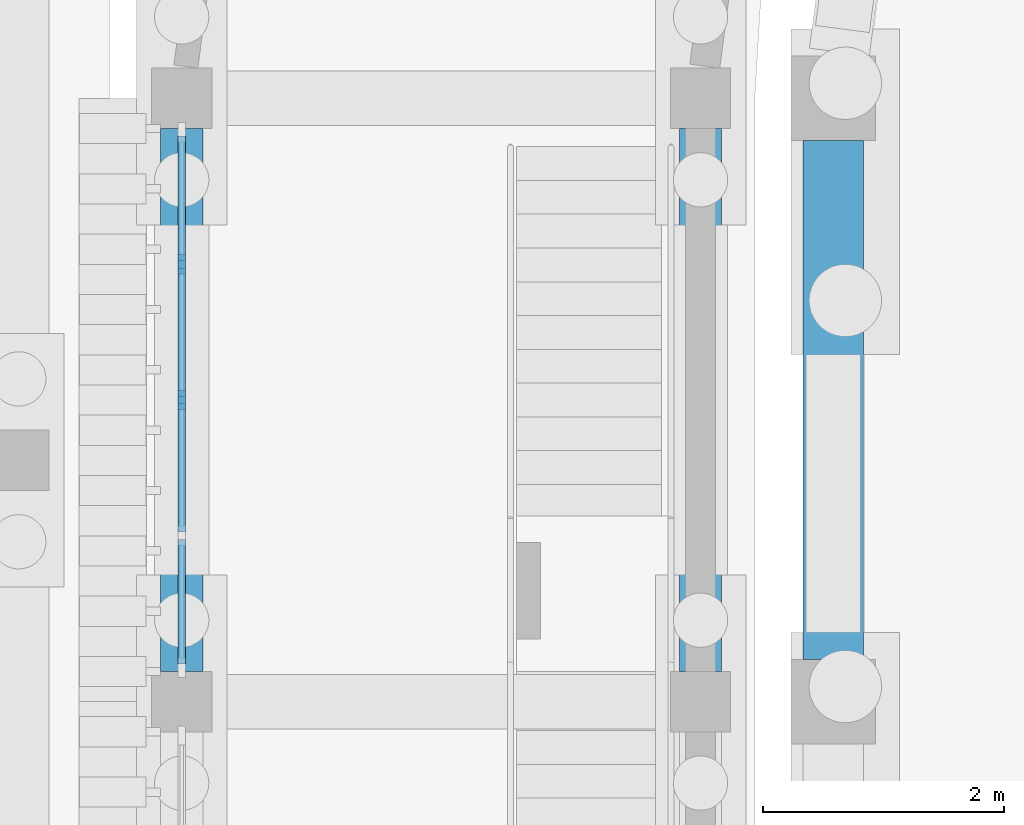
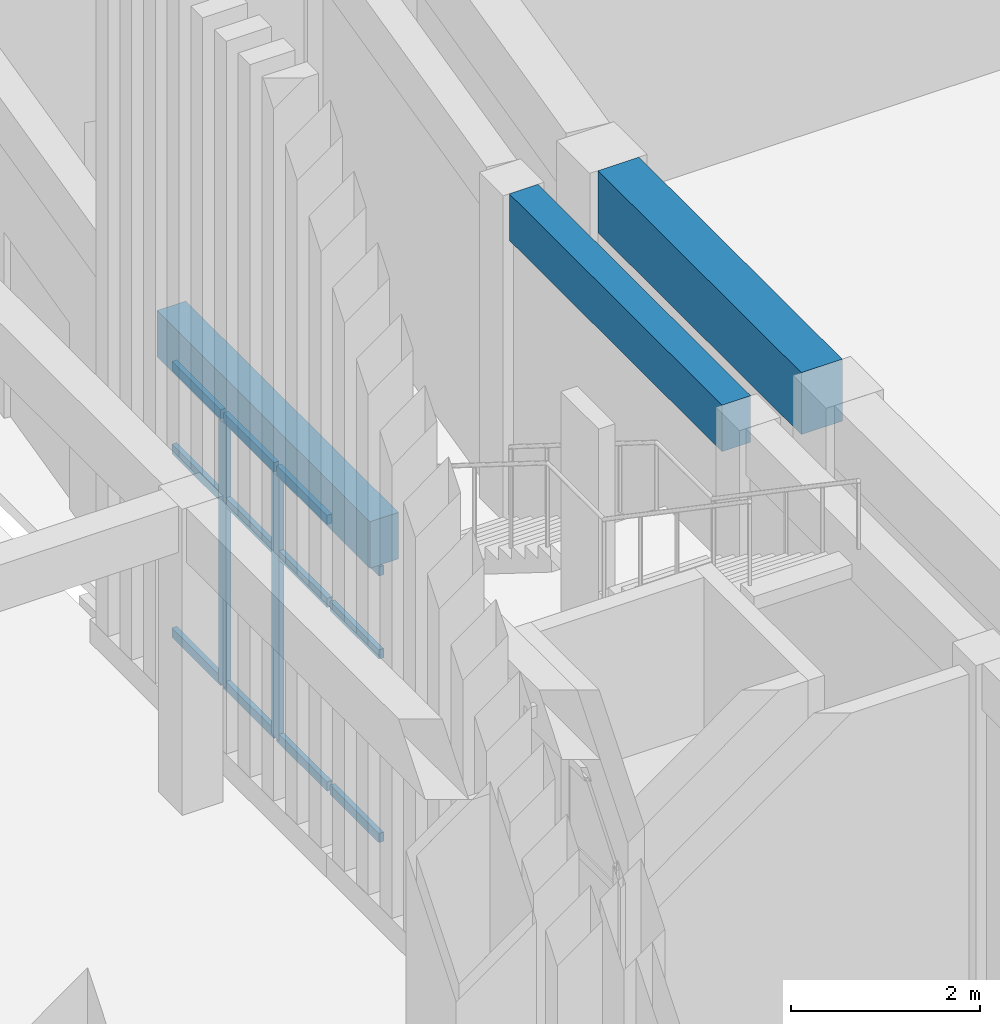
# One storey, part 20 of 112: 14 members, 3 beams, 1 element without a shape of its own.
"""IFC4 building model written with IfcOpenShell, lengths in metres."""

from ifc_helpers import new_model, si_unit, direction, frame, origin, origin_2d, place, context, subcontext, project, spatial, rectangle, extrude, material, layer, layer_set, material_profile, profile_set, type_object, element, aggregate, save


model = new_model("IFC4")

# Units and contexts
model_context = context("Model", 3, precision=1e-05, world=origin(), true_north=direction((0.0, 1.0)))
body_context = subcontext(model_context, "Body", "Model", "MODEL_VIEW")
ifc_project = project(units=[si_unit("LENGTHUNIT", "METRE"), si_unit("AREAUNIT", "SQUARE_METRE"), si_unit("VOLUMEUNIT", "CUBIC_METRE"), si_unit("PLANEANGLEUNIT", "RADIAN"), si_unit("MASSUNIT", "GRAM", prefix="KILO")], contexts=[model_context])

# Site, building, storey
site_placement = place(None, origin())
site = spatial("IfcSite", under=ifc_project, at=site_placement, CompositionType="ELEMENT")
building_placement = place(site_placement, origin())
building = spatial("IfcBuilding", under=site, at=building_placement, Name="Wasatch Bagh Community Centre", CompositionType="ELEMENT")
storey_placement = place(building_placement, origin())
storey = spatial("IfcBuildingStorey", under=building, at=storey_placement, Name="L00", CompositionType="ELEMENT", Elevation=0.0)

# Curtain wall, members
ifc_material_1 = material(Name="Aluminium curtain wall frame with low-iron insulated glass", Category="aluminium")
ifc_layer = layer(ifc_material_1, 0.14990234375)
ifc_layer_set = layer_set([ifc_layer], Name="Aluminium curtain wall frame with low-iron insulated glass")
curtain_wall_type = type_object("IfcCurtainWallType", Name="Drum curtain wall DR-CW3", PredefinedType="NOTDEFINED", material=ifc_layer_set)
curtain_wall_placement = place(storey_placement, origin())
curtain_wall = element("IfcCurtainWall", 1, at=curtain_wall_placement, inside=storey, type_object=curtain_wall_type, Name="Curtain wall DR-CW3 31", PredefinedType="NOTDEFINED")
ifc_material_2 = material(Name="Aluminium curtain wall frame", Category="aluminium")
ifc_material_profile_1 = material_profile(ifc_material_2, rectangle(XDim=0.06005859375, YDim=0.159912109375, at=origin_2d()), Name="Drum mullion DR-CW3")
ifc_profile_set_1 = profile_set([ifc_material_profile_1], Name="Aluminium curtain wall frame")
member_type_1 = type_object("IfcMemberType", Name="Drum mullion DR-CW3", PredefinedType="MULLION", material=ifc_profile_set_1)
member_1_placement = place(storey_placement, frame((11.85009765625, 63.624755859375, 0.0), z_axis=(0.0, 0.0, 1.0), x_axis=(1.0, 0.0, 0.0)))
member_1 = element("IfcMember", 2, at=member_1_placement, type_object=member_type_1, Name="DR-CW3 mullion 2", PredefinedType="MULLION", context=body_context, shape_type="SweptSolid", body=[
    extrude(rectangle(XDim=0.06005859375, YDim=0.159912109375, at=origin_2d()), origin(), (0.0, 0.0, 1.0), 3.5),
])
member_2_placement = place(storey_placement, frame((11.85009765625, 62.5, 0.0), z_axis=(0.0, 0.0, 1.0), x_axis=(1.0, 0.0, 0.0)))
member_2 = element("IfcMember", 3, at=member_2_placement, type_object=member_type_1, Name="DR-CW3 mullion 3", PredefinedType="MULLION", context=body_context, shape_type="SweptSolid", body=[
    extrude(rectangle(XDim=0.06005859375, YDim=0.159912109375, at=origin_2d()), origin(), (0.0, 0.0, 1.0), 3.5),
])

# Beams
ifc_material_3 = material(Name="Concrete C35", Category="concrete")
ifc_material_profile_2 = material_profile(ifc_material_3, rectangle(XDim=0.35009765625, YDim=0.60009765625, at=origin_2d()), Name="RC 350x600")
ifc_profile_set_2 = profile_set([ifc_material_profile_2], Name="Concrete C35")
beam_type_1 = type_object("IfcBeamType", Name="Drum ring beam RC 350x600", PredefinedType="BEAM", material=ifc_profile_set_2)
for number, where, z_axis, x_axis, name in (
    (4, (16.14990234375, 64.74951171875, 3.89990234375), (0.0, -1.0, 0.0), (1.0, 0.0, 0.0), "Ring beam 4.2 DI-W7-DI-W6"),
    (5, (11.85009765625, 64.74951171875, 3.89990234375), (0.0, -1.0, 0.0), (1.0, 0.0, 0.0), "Ring beam 4.2 DO-W7-DO-W6"),
):
    element("IfcBeam", number, at=place(storey_placement, frame(where, z_axis=z_axis, x_axis=x_axis)), inside=storey, type_object=beam_type_1, Name=name, PredefinedType="BEAM", context=body_context, shape_type="SweptSolid", body=[
        extrude(rectangle(XDim=0.35009765625, YDim=0.60009765625, at=origin_2d()), origin(), (0.0, 0.0, 1.0), 4.4990234375),
    ])

# Member
ifc_material_profile_3 = material_profile(ifc_material_2, rectangle(XDim=0.06005859375, YDim=0.1201171875, at=origin_2d()), Name="Drum transom DR-CW3")
ifc_profile_set_3 = profile_set([ifc_material_profile_3], Name="Aluminium curtain wall frame")
member_type_2 = type_object("IfcMemberType", Name="Drum transom DR-CW3", PredefinedType="USERDEFINED", material=ifc_profile_set_3)
member_3_placement = place(storey_placement, frame((11.85009765625, 64.689453125, 0.030029296875), z_axis=(0.0, -1.0, 0.0), x_axis=(1.0, 0.0, 0.0)))
member_3 = element("IfcMember", 6, at=member_3_placement, type_object=member_type_2, Name="DR-CW3 transom 1.1", ObjectType="TRANSOM", PredefinedType="USERDEFINED", context=body_context, shape_type="SweptSolid", body=[
    extrude(rectangle(XDim=0.06005859375, YDim=0.1201171875, at=origin_2d()), origin(), (0.0, 0.0, 1.0), 1.03466796875),
])

member_4_placement = place(storey_placement, frame((11.85009765625, 64.689453125, 2.39990234375), z_axis=(0.0, -1.0, 0.0), x_axis=(1.0, 0.0, 0.0)))
member_4 = element("IfcMember", 7, at=member_4_placement, type_object=member_type_2, Name="DR-CW3 transom 1.2", ObjectType="TRANSOM", PredefinedType="USERDEFINED", context=body_context, shape_type="SweptSolid", body=[
    extrude(rectangle(XDim=0.06005859375, YDim=0.1201171875, at=origin_2d()), origin(), (0.0, 0.0, 1.0), 1.03466796875),
])

member_5_placement = place(storey_placement, frame((11.85009765625, 64.689453125, 3.469970703125), z_axis=(0.0, -1.0, 0.0), x_axis=(1.0, 0.0, 0.0)))
member_5 = element("IfcMember", 8, at=member_5_placement, type_object=member_type_2, Name="DR-CW3 transom 1.3", ObjectType="TRANSOM", PredefinedType="USERDEFINED", context=body_context, shape_type="SweptSolid", body=[
    extrude(rectangle(XDim=0.06005859375, YDim=0.1201171875, at=origin_2d()), origin(), (0.0, 0.0, 1.0), 1.03466796875),
])

member_6_placement = place(storey_placement, frame((11.85009765625, 63.5947265625, 0.030029296875), z_axis=(0.0, -1.0, 0.0), x_axis=(1.0, 0.0, 0.0)))
member_6 = element("IfcMember", 9, at=member_6_placement, type_object=member_type_2, Name="DR-CW3 transom 2.1", ObjectType="TRANSOM", PredefinedType="USERDEFINED", context=body_context, shape_type="SweptSolid", body=[
    extrude(rectangle(XDim=0.06005859375, YDim=0.1201171875, at=origin_2d()), origin(), (0.0, 0.0, 1.0), 1.064697265625),
])

member_7_placement = place(storey_placement, frame((11.85009765625, 63.5947265625, 2.39990234375), z_axis=(0.0, -1.0, 0.0), x_axis=(1.0, 0.0, 0.0)))
member_7 = element("IfcMember", 10, at=member_7_placement, type_object=member_type_2, Name="DR-CW3 transom 2.2", ObjectType="TRANSOM", PredefinedType="USERDEFINED", context=body_context, shape_type="SweptSolid", body=[
    extrude(rectangle(XDim=0.06005859375, YDim=0.1201171875, at=origin_2d()), origin(), (0.0, 0.0, 1.0), 1.064697265625),
])

member_8_placement = place(storey_placement, frame((11.85009765625, 63.5947265625, 3.469970703125), z_axis=(0.0, -1.0, 0.0), x_axis=(1.0, 0.0, 0.0)))
member_8 = element("IfcMember", 11, at=member_8_placement, type_object=member_type_2, Name="DR-CW3 transom 2.3", ObjectType="TRANSOM", PredefinedType="USERDEFINED", context=body_context, shape_type="SweptSolid", body=[
    extrude(rectangle(XDim=0.06005859375, YDim=0.1201171875, at=origin_2d()), origin(), (0.0, 0.0, 1.0), 1.064697265625),
])

member_9_placement = place(storey_placement, frame((11.85009765625, 62.469970703125, 0.030029296875), z_axis=(0.0, -1.0, 0.0), x_axis=(1.0, 0.0, 0.0)))
member_9 = element("IfcMember", 12, at=member_9_placement, type_object=member_type_2, Name="DR-CW3 transom 3.1", ObjectType="TRANSOM", PredefinedType="USERDEFINED", context=body_context, shape_type="SweptSolid", body=[
    extrude(rectangle(XDim=0.06005859375, YDim=0.1201171875, at=origin_2d()), origin(), (0.0, 0.0, 1.0), 1.064697265625),
])

member_10_placement = place(storey_placement, frame((11.85009765625, 62.469970703125, 2.39990234375), z_axis=(0.0, -1.0, 0.0), x_axis=(1.0, 0.0, 0.0)))
member_10 = element("IfcMember", 13, at=member_10_placement, type_object=member_type_2, Name="DR-CW3 transom 3.2", ObjectType="TRANSOM", PredefinedType="USERDEFINED", context=body_context, shape_type="SweptSolid", body=[
    extrude(rectangle(XDim=0.06005859375, YDim=0.1201171875, at=origin_2d()), origin(), (0.0, 0.0, 1.0), 1.064697265625),
])

member_11_placement = place(storey_placement, frame((11.85009765625, 62.469970703125, 3.469970703125), z_axis=(0.0, -1.0, 0.0), x_axis=(1.0, 0.0, 0.0)))
member_11 = element("IfcMember", 14, at=member_11_placement, type_object=member_type_2, Name="DR-CW3 transom 3.3", ObjectType="TRANSOM", PredefinedType="USERDEFINED", context=body_context, shape_type="SweptSolid", body=[
    extrude(rectangle(XDim=0.06005859375, YDim=0.1201171875, at=origin_2d()), origin(), (0.0, 0.0, 1.0), 1.064697265625),
])

member_12_placement = place(storey_placement, frame((11.85009765625, 61.34521484375, 0.030029296875), z_axis=(0.0, -1.0, 0.0), x_axis=(1.0, 0.0, 0.0)))
member_12 = element("IfcMember", 15, at=member_12_placement, type_object=member_type_2, Name="DR-CW3 transom 4.1", ObjectType="TRANSOM", PredefinedType="USERDEFINED", context=body_context, shape_type="SweptSolid", body=[
    extrude(rectangle(XDim=0.06005859375, YDim=0.1201171875, at=origin_2d()), origin(), (0.0, 0.0, 1.0), 1.03466796875),
])

member_13_placement = place(storey_placement, frame((11.85009765625, 61.34521484375, 2.39990234375), z_axis=(0.0, -1.0, 0.0), x_axis=(1.0, 0.0, 0.0)))
member_13 = element("IfcMember", 16, at=member_13_placement, type_object=member_type_2, Name="DR-CW3 transom 4.2", ObjectType="TRANSOM", PredefinedType="USERDEFINED", context=body_context, shape_type="SweptSolid", body=[
    extrude(rectangle(XDim=0.06005859375, YDim=0.1201171875, at=origin_2d()), origin(), (0.0, 0.0, 1.0), 1.03466796875),
])

member_14_placement = place(storey_placement, frame((11.85009765625, 61.34521484375, 3.469970703125), z_axis=(0.0, -1.0, 0.0), x_axis=(1.0, 0.0, 0.0)))
member_14 = element("IfcMember", 17, at=member_14_placement, type_object=member_type_2, Name="DR-CW3 transom 4.3", ObjectType="TRANSOM", PredefinedType="USERDEFINED", context=body_context, shape_type="SweptSolid", body=[
    extrude(rectangle(XDim=0.06005859375, YDim=0.1201171875, at=origin_2d()), origin(), (0.0, 0.0, 1.0), 1.03466796875),
])

aggregate(curtain_wall, [member_1, member_2, member_3, member_4, member_5, member_6, member_7, member_8, member_9, member_10, member_11, member_12, member_13, member_14])

# Beam
ifc_material_profile_4 = material_profile(ifc_material_3, rectangle(XDim=0.5, YDim=0.800048828125, at=origin_2d()), Name="RC 500x800")
ifc_profile_set_4 = profile_set([ifc_material_profile_4], Name="Concrete C35")
beam_type_2 = type_object("IfcBeamType", Name="MH ring beam RC 500x800", PredefinedType="BEAM", material=ifc_profile_set_4)
beam_placement = place(storey_placement, frame((17.25, 64.6494140625, 3.800048828125), z_axis=(0.0, -1.0, 0.0), x_axis=(1.0, 0.0, 0.0)))
element("IfcBeam", 18, at=beam_placement, inside=storey, type_object=beam_type_2, Name="Ring beam 4.2 W7-W6", PredefinedType="BEAM", context=body_context, shape_type="SweptSolid", body=[
    extrude(rectangle(XDim=0.5, YDim=0.800048828125, at=origin_2d()), origin(), (0.0, 0.0, 1.0), 4.298828125),
])

save(model, "model.ifc")
